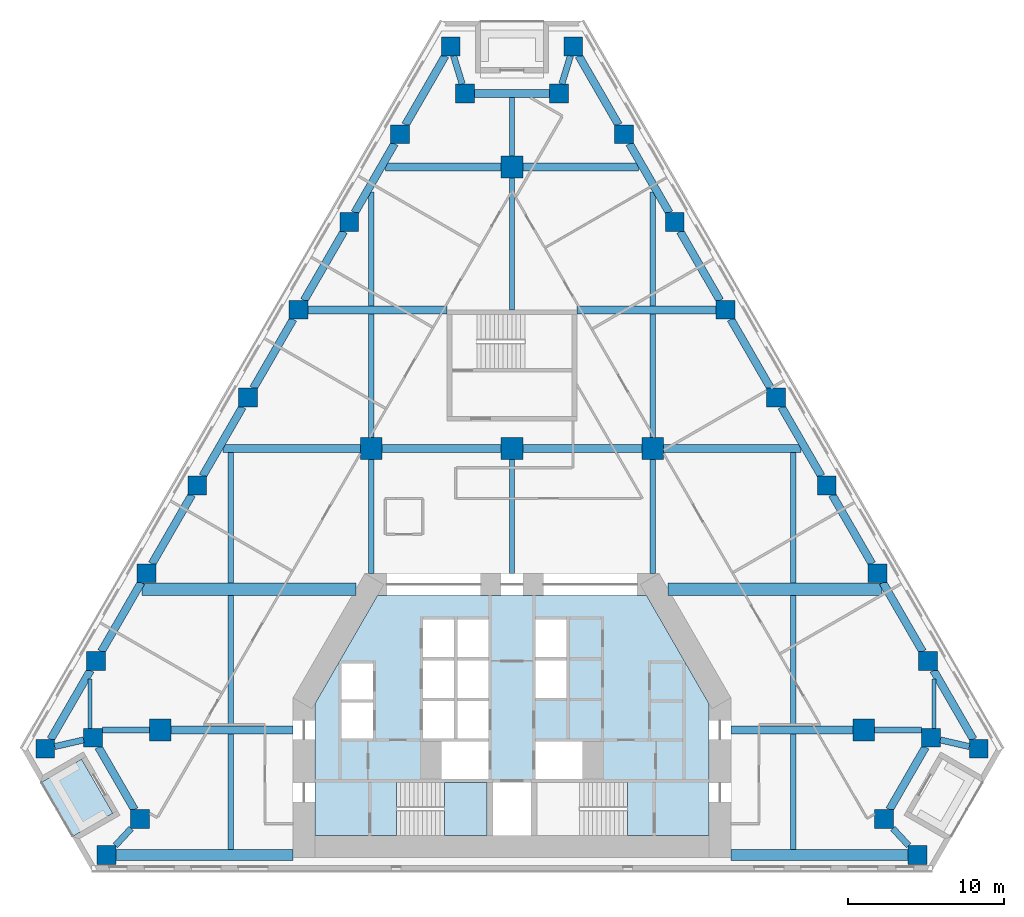
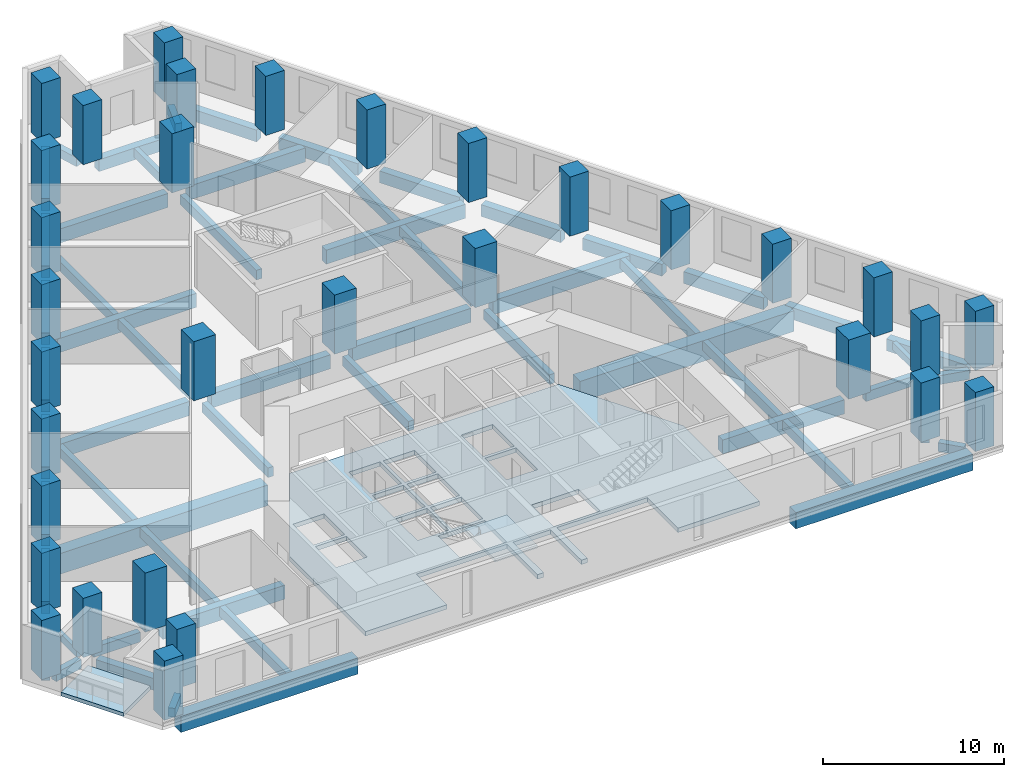
# One storey, part 1 of 9: 58 beams, 32 columns, 3 slabs, 1 element without a shape of its own.
"""IFC4 building model written with IfcOpenShell, lengths in metres."""

from ifc_helpers import new_model, si_unit, direction, frame, origin, origin_2d, place, context, subcontext, project, spatial, polyline, rectangle, outline, extrude, material, layer, layer_set, material_profile, profile_set, type_object, element, aggregate, save


model = new_model("IFC4")

# Units and contexts
model_context = context("Model", 3, precision=1e-05, world=origin(), true_north=direction((0.0, 1.0)))
body_context = subcontext(model_context, "Body", "Model", "MODEL_VIEW")
ifc_project = project(units=[si_unit("LENGTHUNIT", "METRE"), si_unit("AREAUNIT", "SQUARE_METRE"), si_unit("VOLUMEUNIT", "CUBIC_METRE"), si_unit("PLANEANGLEUNIT", "RADIAN"), si_unit("MASSUNIT", "GRAM", prefix="KILO")], contexts=[model_context])

# Site, building, storey
site_placement = place(None, origin())
site = spatial("IfcSite", under=ifc_project, at=site_placement, CompositionType="ELEMENT")
building_placement = place(site_placement, origin())
building = spatial("IfcBuilding", under=site, at=building_placement, Name="Fogline Exchange Tower", CompositionType="ELEMENT")
storey_placement = place(building_placement, frame((0.0, 0.0, 72.89990234375)))
storey = spatial("IfcBuildingStorey", under=building, at=storey_placement, Name="L15", CompositionType="ELEMENT", Elevation=72.89990234375)

# Columns
ifc_material_1 = material(Name="Concrete C80", Category="concrete")
ifc_material_profile_1 = material_profile(ifc_material_1, rectangle(XDim=1.199951171875, YDim=1.199951171875, at=origin_2d()), Name="RC 1200x1200")
ifc_profile_set_1 = profile_set([ifc_material_profile_1], Name="Concrete C80")
column_type_1 = type_object("IfcColumnType", Name="C01", PredefinedType="COLUMN", material=ifc_profile_set_1)
for number, where, z_axis, x_axis, name in (
    (1, (-29.855712890625, 7.794189453125, 0.0), (0.0, 0.0, 1.0), (1.0, 0.0, 0.0), "SW-a"),
    (2, (-26.79638671875, 8.4951171875, 0.0), (0.0, 0.0, 1.0), (1.0, 0.0, 0.0), "SW-p4"),
    (3, (-23.79638671875, 3.299072265625, 0.0), (0.0, 0.0, 1.0), (1.0, 0.0, 0.0), "SW-p3"),
    (4, (-25.93310546875, 1.0, 0.0), (0.0, 0.0, 1.0), (1.0, 0.0, 0.0), "SW-b"),
    (5, (25.93310546875, 1.0, 0.0), (0.0, 0.0, 1.0), (1.0, 0.0, 0.0), "SE-a"),
    (6, (23.79638671875, 3.299072265625, 0.0), (0.0, 0.0, 1.0), (1.0, 0.0, 0.0), "SE-p4"),
    (7, (26.79638671875, 8.4951171875, 0.0), (0.0, 0.0, 1.0), (1.0, 0.0, 0.0), "SE-p3"),
    (8, (29.855712890625, 7.794189453125, 0.0), (0.0, 0.0, 1.0), (1.0, 0.0, 0.0), "SE-b"),
    (9, (26.614013671875, 13.408935546875, 0.0), (0.0, 0.0, 1.0), (1.0, 0.0, 0.0), "E1"),
    (10, (23.37255859375, 19.023681640625, 0.0), (0.0, 0.0, 1.0), (1.0, 0.0, 0.0), "E2"),
    (11, (20.130859375, 24.63818359375, 0.0), (0.0, 0.0, 1.0), (1.0, 0.0, 0.0), "E3"),
    (12, (16.88916015625, 30.2529296875, 0.0), (0.0, 0.0, 1.0), (1.0, 0.0, 0.0), "E4"),
    (13, (13.647705078125, 35.86767578125, 0.0), (0.0, 0.0, 1.0), (1.0, 0.0, 0.0), "E5"),
    (14, (10.406005859375, 41.482421875, 0.0), (0.0, 0.0, 1.0), (1.0, 0.0, 0.0), "E6"),
    (15, (7.164306640625, 47.096923828125, 0.0), (0.0, 0.0, 1.0), (1.0, 0.0, 0.0), "E7"),
    (16, (3.922607421875, 52.711669921875, 0.0), (0.0, 0.0, 1.0), (1.0, 0.0, 0.0), "N-a"),
    (17, (3.0, 49.711669921875, 0.0), (0.0, 0.0, 1.0), (1.0, 0.0, 0.0), "N-p4"),
    (18, (-3.0, 49.711669921875, 0.0), (0.0, 0.0, 1.0), (1.0, 0.0, 0.0), "N-p3"),
    (19, (-3.922607421875, 52.711669921875, 0.0), (0.0, 0.0, 1.0), (1.0, 0.0, 0.0), "N-b"),
    (20, (-7.164306640625, 47.096923828125, 0.0), (0.0, 0.0, 1.0), (1.0, 0.0, 0.0), "W1"),
    (21, (-10.406005859375, 41.482421875, 0.0), (0.0, 0.0, 1.0), (1.0, 0.0, 0.0), "W2"),
    (22, (-13.647705078125, 35.86767578125, 0.0), (0.0, 0.0, 1.0), (1.0, 0.0, 0.0), "W3"),
    (23, (-16.88916015625, 30.2529296875, 0.0), (0.0, 0.0, 1.0), (1.0, 0.0, 0.0), "W4"),
    (24, (-20.130859375, 24.63818359375, 0.0), (0.0, 0.0, 1.0), (1.0, 0.0, 0.0), "W5"),
    (25, (-23.37255859375, 19.023681640625, 0.0), (0.0, 0.0, 1.0), (1.0, 0.0, 0.0), "W6"),
    (26, (-26.614013671875, 13.408935546875, 0.0), (0.0, 0.0, 1.0), (1.0, 0.0, 0.0), "W7"),
):
    element("IfcColumn", number, at=place(storey_placement, frame(where, z_axis=z_axis, x_axis=x_axis)), inside=storey, type_object=column_type_1, Name=name, PredefinedType="COLUMN", context=body_context, shape_type="SweptSolid", body=[
        extrude(rectangle(XDim=1.199951171875, YDim=1.199951171875, at=origin_2d()), origin(), (0.0, 0.0, 1.0), 4.0),
    ])
ifc_material_profile_2 = material_profile(ifc_material_1, rectangle(XDim=1.39990234375, YDim=1.39990234375, at=origin_2d()), Name="RC 1400x1400")
ifc_profile_set_2 = profile_set([ifc_material_profile_2], Name="Concrete C80")
column_type_2 = type_object("IfcColumnType", Name="C02", PredefinedType="COLUMN", material=ifc_profile_set_2)
for number, where, z_axis, x_axis, name in (
    (27, (-9.0, 27.0, 0.0), (0.0, 0.0, 1.0), (1.0, 0.0, 0.0), "IC--9-27"),
    (28, (0.0, 27.0, 0.0), (0.0, 0.0, 1.0), (1.0, 0.0, 0.0), "IC-0-27"),
    (29, (9.0, 27.0, 0.0), (0.0, 0.0, 1.0), (1.0, 0.0, 0.0), "IC-9-27"),
    (30, (0.0, 45.0, 0.0), (0.0, 0.0, 1.0), (1.0, 0.0, 0.0), "IC-0-45"),
    (31, (-22.5, 9.0, 0.0), (0.0, 0.0, 1.0), (1.0, 0.0, 0.0), "IC--225-9"),
    (32, (22.5, 9.0, 0.0), (0.0, 0.0, 1.0), (1.0, 0.0, 0.0), "IC-225-9"),
):
    element("IfcColumn", number, at=place(storey_placement, frame(where, z_axis=z_axis, x_axis=x_axis)), inside=storey, type_object=column_type_2, Name=name, PredefinedType="COLUMN", context=body_context, shape_type="SweptSolid", body=[
        extrude(rectangle(XDim=1.39990234375, YDim=1.39990234375, at=origin_2d()), origin(), (0.0, 0.0, 1.0), 4.0),
    ])

# Beams
ifc_material_2 = material(Name="Concrete C40", Category="concrete")
ifc_material_profile_3 = material_profile(ifc_material_2, rectangle(XDim=0.300048828125, YDim=0.60009765625, at=origin_2d()), Name="RC 300x600")
ifc_profile_set_3 = profile_set([ifc_material_profile_3], Name="Concrete C40")
beam_type_1 = type_object("IfcBeamType", Name="B06", PredefinedType="BEAM", material=ifc_profile_set_3)
beam_1_placement = place(storey_placement, frame((0.0, 45.699951171875, -0.599853515625), z_axis=(0.0, 1.0, 0.0), x_axis=(-1.0, 0.0, 0.0)))
element("IfcBeam", 33, at=beam_1_placement, inside=storey, type_object=beam_type_1, Name="SB010", PredefinedType="BEAM", context=body_context, shape_type="SweptSolid", body=[
    extrude(rectangle(XDim=0.300048828125, YDim=0.60009765625, at=origin_2d()), origin(), (0.0, 0.0, 1.0), 3.76171875),
])
ifc_material_profile_4 = material_profile(ifc_material_2, rectangle(XDim=0.25, YDim=0.5, at=origin_2d()), Name="RC 250x500")
ifc_profile_set_4 = profile_set([ifc_material_profile_4], Name="Concrete C40")
beam_type_2 = type_object("IfcBeamType", Name="B08", PredefinedType="BEAM", material=ifc_profile_set_4)
for number, where, z_axis, x_axis, name in (
    (34, (-27.0, 9.09521484375, -0.5498046875), (0.0, 1.0, 0.0), (-1.0, 0.0, 0.0), "SB001"),
    (35, (27.0, 9.09521484375, -0.5498046875), (0.0, 1.0, 0.0), (-1.0, 0.0, 0.0), "SB017"),
):
    element("IfcBeam", number, at=place(storey_placement, frame(where, z_axis=z_axis, x_axis=x_axis)), inside=storey, type_object=beam_type_2, Name=name, PredefinedType="BEAM", context=body_context, shape_type="SweptSolid", body=[
        extrude(rectangle(XDim=0.25, YDim=0.5, at=origin_2d()), origin(), (0.0, 0.0, 1.0), 3.145263671875),
    ])
ifc_material_profile_5 = material_profile(ifc_material_2, rectangle(XDim=0.5, YDim=0.800048828125, at=origin_2d()), Name="RC 500x800")
ifc_profile_set_5 = profile_set([ifc_material_profile_5], Name="Concrete C40")
beam_type_3 = type_object("IfcBeamType", Name="B10", PredefinedType="BEAM", material=ifc_profile_set_5)
for number, where, z_axis, x_axis, name in (
    (36, (-26.449951171875, 7.895263671875, -0.699951171875), (0.500014024385, -0.866017306651, 0.0), (0.866017306651, 0.500014024385, 0.0), "RB002"),
    (37, (24.142578125, 3.89892578125, -0.699951171875), (0.500014024385, 0.866017306651, 0.0), (-0.866017306651, 0.500014024385, 0.0), "RB007"),
):
    element("IfcBeam", number, at=place(storey_placement, frame(where, z_axis=z_axis, x_axis=x_axis)), inside=storey, type_object=beam_type_3, Name=name, PredefinedType="BEAM", context=body_context, shape_type="SweptSolid", body=[
        extrude(rectangle(XDim=0.5, YDim=0.800048828125, at=origin_2d()), origin(), (0.0, 0.0, 1.0), 4.614501953125),
    ])
beam_2_placement = place(storey_placement, frame((29.50927734375, 8.394287109375, -0.699951171875), z_axis=(-0.500012659481, 0.866018094706, 0.0), x_axis=(-0.866018094706, -0.500012659481, 0.0)))
element("IfcBeam", 38, at=beam_2_placement, inside=storey, type_object=beam_type_3, Name="RB009", PredefinedType="BEAM", context=body_context, shape_type="SweptSolid", body=[
    extrude(rectangle(XDim=0.5, YDim=0.800048828125, at=origin_2d()), origin(), (0.0, 0.0, 1.0), 5.097412109375),
])
for number, where, z_axis, x_axis, name in (
    (39, (26.267578125, 14.0087890625, -0.699951171875), (-0.499956000529, 0.8660508054, 0.0), (-0.8660508054, -0.499956000529, 0.0), "RB010"),
    (40, (23.026123046875, 19.62353515625, -0.699951171875), (-0.499991921166, 0.866030068051, 0.0), (-0.866030068051, -0.499991921166, 0.0), "RB011"),
):
    element("IfcBeam", number, at=place(storey_placement, frame(where, z_axis=z_axis, x_axis=x_axis)), inside=storey, type_object=beam_type_3, Name=name, PredefinedType="BEAM", context=body_context, shape_type="SweptSolid", body=[
        extrude(rectangle(XDim=0.5, YDim=0.800048828125, at=origin_2d()), origin(), (0.0, 0.0, 1.0), 5.09765625),
    ])
beam_3_placement = place(storey_placement, frame((19.784423828125, 25.23828125, -0.699951171875), z_axis=(-0.500012659481, 0.866018094706, 0.0), x_axis=(-0.866018094706, -0.500012659481, 0.0)))
element("IfcBeam", 41, at=beam_3_placement, inside=storey, type_object=beam_type_3, Name="RB012", PredefinedType="BEAM", context=body_context, shape_type="SweptSolid", body=[
    extrude(rectangle(XDim=0.5, YDim=0.800048828125, at=origin_2d()), origin(), (0.0, 0.0, 1.0), 5.097412109375),
])
for number, where, z_axis, x_axis, name in (
    (42, (16.542724609375, 30.852783203125, -0.699951171875), (-0.499991921166, 0.866030068051, 0.0), (-0.866030068051, -0.499991921166, 0.0), "RB013"),
    (43, (13.301025390625, 36.467529296875, -0.699951171875), (-0.499991921166, 0.866030068051, 0.0), (-0.866030068051, -0.499991921166, 0.0), "RB014"),
    (44, (10.0595703125, 42.082275390625, -0.699951171875), (-0.499991921166, 0.866030068051, 0.0), (-0.866030068051, -0.499991921166, 0.0), "RB015"),
    (45, (6.81787109375, 47.697021484375, -0.699951171875), (-0.499991921166, 0.866030068051, 0.0), (-0.866030068051, -0.499991921166, 0.0), "RB016"),
):
    element("IfcBeam", number, at=place(storey_placement, frame(where, z_axis=z_axis, x_axis=x_axis)), inside=storey, type_object=beam_type_3, Name=name, PredefinedType="BEAM", context=body_context, shape_type="SweptSolid", body=[
        extrude(rectangle(XDim=0.5, YDim=0.800048828125, at=origin_2d()), origin(), (0.0, 0.0, 1.0), 5.09765625),
    ])
beam_4_placement = place(storey_placement, frame((2.39990234375, 49.711669921875, -0.699951171875), z_axis=(-1.0, 0.0, 0.0), x_axis=(0.0, -1.0, 0.0)))
element("IfcBeam", 46, at=beam_4_placement, inside=storey, type_object=beam_type_3, Name="RB018", PredefinedType="BEAM", context=body_context, shape_type="SweptSolid", body=[
    extrude(rectangle(XDim=0.5, YDim=0.800048828125, at=origin_2d()), origin(), (0.0, 0.0, 1.0), 4.7998046875),
])
for number, where, z_axis, x_axis, name in (
    (47, (-4.26904296875, 52.11181640625, -0.699951171875), (-0.499991921166, -0.866030068051, 0.0), (0.866030068051, -0.499991921166, 0.0), "RB020"),
    (48, (-7.5107421875, 46.4970703125, -0.699951171875), (-0.499991921166, -0.866030068051, 0.0), (0.866030068051, -0.499991921166, 0.0), "RB021"),
    (49, (-10.752197265625, 40.88232421875, -0.699951171875), (-0.499991921166, -0.866030068051, 0.0), (0.866030068051, -0.499991921166, 0.0), "RB022"),
    (50, (-13.993896484375, 35.267578125, -0.699951171875), (-0.499991921166, -0.866030068051, 0.0), (0.866030068051, -0.499991921166, 0.0), "RB023"),
):
    element("IfcBeam", number, at=place(storey_placement, frame(where, z_axis=z_axis, x_axis=x_axis)), inside=storey, type_object=beam_type_3, Name=name, PredefinedType="BEAM", context=body_context, shape_type="SweptSolid", body=[
        extrude(rectangle(XDim=0.5, YDim=0.800048828125, at=origin_2d()), origin(), (0.0, 0.0, 1.0), 5.09765625),
    ])
beam_5_placement = place(storey_placement, frame((-17.235595703125, 29.65283203125, -0.699951171875), z_axis=(-0.500012659481, -0.866018094706, 0.0), x_axis=(0.866018094706, -0.500012659481, 0.0)))
element("IfcBeam", 51, at=beam_5_placement, inside=storey, type_object=beam_type_3, Name="RB024", PredefinedType="BEAM", context=body_context, shape_type="SweptSolid", body=[
    extrude(rectangle(XDim=0.5, YDim=0.800048828125, at=origin_2d()), origin(), (0.0, 0.0, 1.0), 5.097412109375),
])
for number, where, z_axis, x_axis, name in (
    (52, (-20.477294921875, 24.038330078125, -0.699951171875), (-0.499991921166, -0.866030068051, 0.0), (0.866030068051, -0.499991921166, 0.0), "RB025"),
    (53, (-23.718994140625, 18.423583984375, -0.699951171875), (-0.499956000529, -0.8660508054, 0.0), (0.8660508054, -0.499956000529, 0.0), "RB026"),
):
    element("IfcBeam", number, at=place(storey_placement, frame(where, z_axis=z_axis, x_axis=x_axis)), inside=storey, type_object=beam_type_3, Name=name, PredefinedType="BEAM", context=body_context, shape_type="SweptSolid", body=[
        extrude(rectangle(XDim=0.5, YDim=0.800048828125, at=origin_2d()), origin(), (0.0, 0.0, 1.0), 5.09765625),
    ])
beam_6_placement = place(storey_placement, frame((-26.96044921875, 12.808837890625, -0.699951171875), z_axis=(-0.500012659481, -0.866018094706, 0.0), x_axis=(0.866018094706, -0.500012659481, 0.0)))
element("IfcBeam", 54, at=beam_6_placement, inside=storey, type_object=beam_type_3, Name="RB027", PredefinedType="BEAM", context=body_context, shape_type="SweptSolid", body=[
    extrude(rectangle(XDim=0.5, YDim=0.800048828125, at=origin_2d()), origin(), (0.0, 0.0, 1.0), 5.097412109375),
])
ifc_material_profile_6 = material_profile(ifc_material_2, rectangle(XDim=0.39990234375, YDim=0.60009765625, at=origin_2d()), Name="RC 400x600")
ifc_profile_set_6 = profile_set([ifc_material_profile_6], Name="Concrete C40")
beam_type_4 = type_object("IfcBeamType", Name="B11", PredefinedType="BEAM", material=ifc_profile_set_6)
beam_7_placement = place(storey_placement, frame((-29.255615234375, 7.931640625, -0.599853515625), z_axis=(0.974741606569, 0.223335622829, 0.0), x_axis=(-0.223335622829, 0.974741606569, 0.0)))
element("IfcBeam", 55, at=beam_7_placement, inside=storey, type_object=beam_type_4, Name="RB001", PredefinedType="BEAM", context=body_context, shape_type="SweptSolid", body=[
    extrude(rectangle(XDim=0.39990234375, YDim=0.60009765625, at=origin_2d()), origin(), (0.0, 0.0, 1.0), 1.907470703125),
])
for number, where, z_axis, x_axis, name in (
    (56, (-24.35400390625, 2.698974609375, -0.599853515625), (-0.680844217962, -0.732428256464, 0.0), (0.732428256464, -0.680844217962, 0.0), "RB003"),
    (57, (25.37548828125, 1.60009765625, -0.599853515625), (-0.680844217962, 0.732428256464, 0.0), (-0.732428256464, -0.680844217962, 0.0), "RB006"),
):
    element("IfcBeam", number, at=place(storey_placement, frame(where, z_axis=z_axis, x_axis=x_axis)), inside=storey, type_object=beam_type_4, Name=name, PredefinedType="BEAM", context=body_context, shape_type="SweptSolid", body=[
        extrude(rectangle(XDim=0.39990234375, YDim=0.60009765625, at=origin_2d()), origin(), (0.0, 0.0, 1.0), 1.500244140625),
    ])
beam_8_placement = place(storey_placement, frame((27.396240234375, 8.357666015625, -0.599853515625), z_axis=(0.974741606569, -0.223335622829, 0.0), x_axis=(0.223335622829, 0.974741606569, 0.0)))
element("IfcBeam", 58, at=beam_8_placement, inside=storey, type_object=beam_type_4, Name="RB008", PredefinedType="BEAM", context=body_context, shape_type="SweptSolid", body=[
    extrude(rectangle(XDim=0.39990234375, YDim=0.60009765625, at=origin_2d()), origin(), (0.0, 0.0, 1.0), 1.907470703125),
])
for number, where, z_axis, x_axis, name in (
    (59, (3.738037109375, 52.11181640625, -0.599853515625), (-0.293894535925, -0.955837853275, 0.0), (0.955837853275, -0.293894535925, 0.0), "RB017"),
    (60, (-3.1845703125, 50.311767578125, -0.599853515625), (-0.293894535925, 0.955837853275, 0.0), (-0.955837853275, -0.293894535925, 0.0), "RB019"),
):
    element("IfcBeam", number, at=place(storey_placement, frame(where, z_axis=z_axis, x_axis=x_axis)), inside=storey, type_object=beam_type_4, Name=name, PredefinedType="BEAM", context=body_context, shape_type="SweptSolid", body=[
        extrude(rectangle(XDim=0.39990234375, YDim=0.60009765625, at=origin_2d()), origin(), (0.0, 0.0, 1.0), 1.88330078125),
    ])
ifc_material_profile_7 = material_profile(ifc_material_2, rectangle(XDim=0.699951171875, YDim=1.10009765625, at=origin_2d()), Name="RC 700x1100")
ifc_profile_set_7 = profile_set([ifc_material_profile_7], Name="Concrete C40")
beam_type_5 = type_object("IfcBeamType", Name="B12", PredefinedType="BEAM", material=ifc_profile_set_7)
for number, where, z_axis, x_axis, name in (
    (61, (-25.3330078125, 1.0, -0.849853515625), (1.0, 0.0, 0.0), (0.0, 1.0, 0.0), "RB004"),
    (62, (14.0, 1.0, -0.849853515625), (1.0, 0.0, 0.0), (0.0, 1.0, 0.0), "RB005"),
):
    element("IfcBeam", number, at=place(storey_placement, frame(where, z_axis=z_axis, x_axis=x_axis)), inside=storey, type_object=beam_type_5, Name=name, PredefinedType="BEAM", context=body_context, shape_type="SweptSolid", body=[
        extrude(rectangle(XDim=0.699951171875, YDim=1.10009765625, at=origin_2d()), origin(), (0.0, 0.0, 1.0), 11.3330078125),
    ])
ifc_material_profile_8 = material_profile(ifc_material_2, rectangle(XDim=0.39990234375, YDim=0.64990234375, at=origin_2d()), Name="RC 400x650")
ifc_profile_set_8 = profile_set([ifc_material_profile_8], Name="Concrete C40")
beam_type_6 = type_object("IfcBeamType", Name="B13", PredefinedType="BEAM", material=ifc_profile_set_8)
for number, where, z_axis, x_axis, name in (
    (63, (-26.1962890625, 9.0, -0.625), (1.0, 0.0, 0.0), (0.0, 1.0, 0.0), "GB001"),
    (64, (23.199951171875, 9.0, -0.625), (1.0, 0.0, 0.0), (0.0, 1.0, 0.0), "GB004"),
):
    element("IfcBeam", number, at=place(storey_placement, frame(where, z_axis=z_axis, x_axis=x_axis)), inside=storey, type_object=beam_type_6, Name=name, PredefinedType="BEAM", context=body_context, shape_type="SweptSolid", body=[
        extrude(rectangle(XDim=0.39990234375, YDim=0.64990234375, at=origin_2d()), origin(), (0.0, 0.0, 1.0), 2.996337890625),
    ])
ifc_material_profile_9 = material_profile(ifc_material_2, rectangle(XDim=0.5, YDim=0.949951171875, at=origin_2d()), Name="RC 500x950")
ifc_profile_set_9 = profile_set([ifc_material_profile_9], Name="Concrete C40")
beam_type_7 = type_object("IfcBeamType", Name="B14", PredefinedType="BEAM", material=ifc_profile_set_9)
for number, where, z_axis, x_axis, name in (
    (65, (-21.800048828125, 9.0, -0.77490234375), (1.0, 0.0, 0.0), (0.0, 1.0, 0.0), "GB002"),
    (66, (14.0, 9.0, -0.77490234375), (1.0, 0.0, 0.0), (0.0, 1.0, 0.0), "GB003"),
):
    element("IfcBeam", number, at=place(storey_placement, frame(where, z_axis=z_axis, x_axis=x_axis)), inside=storey, type_object=beam_type_7, Name=name, PredefinedType="BEAM", context=body_context, shape_type="SweptSolid", body=[
        extrude(rectangle(XDim=0.5, YDim=0.949951171875, at=origin_2d()), origin(), (0.0, 0.0, 1.0), 7.800048828125),
    ])
beam_9_placement = place(storey_placement, frame((-18.478515625, 27.0, -0.77490234375), z_axis=(1.0, 0.0, 0.0), x_axis=(0.0, 1.0, 0.0)))
element("IfcBeam", 67, at=beam_9_placement, inside=storey, type_object=beam_type_7, Name="GB007", PredefinedType="BEAM", context=body_context, shape_type="SweptSolid", body=[
    extrude(rectangle(XDim=0.5, YDim=0.949951171875, at=origin_2d()), origin(), (0.0, 0.0, 1.0), 8.778564453125),
])
for number, where, z_axis, x_axis, name in (
    (68, (-8.300048828125, 27.0, -0.77490234375), (1.0, 0.0, 0.0), (0.0, 1.0, 0.0), "GB008"),
    (69, (0.699951171875, 27.0, -0.77490234375), (1.0, 0.0, 0.0), (0.0, 1.0, 0.0), "GB009"),
):
    element("IfcBeam", number, at=place(storey_placement, frame(where, z_axis=z_axis, x_axis=x_axis)), inside=storey, type_object=beam_type_7, Name=name, PredefinedType="BEAM", context=body_context, shape_type="SweptSolid", body=[
        extrude(rectangle(XDim=0.5, YDim=0.949951171875, at=origin_2d()), origin(), (0.0, 0.0, 1.0), 7.60009765625),
    ])
beam_10_placement = place(storey_placement, frame((9.699951171875, 27.0, -0.77490234375), z_axis=(1.0, 0.0, 0.0), x_axis=(0.0, 1.0, 0.0)))
element("IfcBeam", 70, at=beam_10_placement, inside=storey, type_object=beam_type_7, Name="GB010", PredefinedType="BEAM", context=body_context, shape_type="SweptSolid", body=[
    extrude(rectangle(XDim=0.5, YDim=0.949951171875, at=origin_2d()), origin(), (0.0, 0.0, 1.0), 8.778564453125),
])
for number, where, z_axis, x_axis, name in (
    (71, (-13.047607421875, 35.85693359375, -0.77490234375), (1.0, 0.0, 0.0), (0.0, 1.0, 0.0), "GB011"),
    (72, (4.14990234375, 35.85693359375, -0.77490234375), (1.0, 0.0, 0.0), (0.0, 1.0, 0.0), "GB012"),
):
    element("IfcBeam", number, at=place(storey_placement, frame(where, z_axis=z_axis, x_axis=x_axis)), inside=storey, type_object=beam_type_7, Name=name, PredefinedType="BEAM", context=body_context, shape_type="SweptSolid", body=[
        extrude(rectangle(XDim=0.5, YDim=0.949951171875, at=origin_2d()), origin(), (0.0, 0.0, 1.0), 8.897705078125),
    ])
for number, where, z_axis, x_axis, name in (
    (73, (-8.086181640625, 45.0, -0.77490234375), (1.0, 0.0, 0.0), (0.0, 1.0, 0.0), "GB013"),
    (74, (0.699951171875, 45.0, -0.77490234375), (1.0, 0.0, 0.0), (0.0, 1.0, 0.0), "GB014"),
):
    element("IfcBeam", number, at=place(storey_placement, frame(where, z_axis=z_axis, x_axis=x_axis)), inside=storey, type_object=beam_type_7, Name=name, PredefinedType="BEAM", context=body_context, shape_type="SweptSolid", body=[
        extrude(rectangle(XDim=0.5, YDim=0.949951171875, at=origin_2d()), origin(), (0.0, 0.0, 1.0), 7.38623046875),
    ])
ifc_material_profile_10 = material_profile(ifc_material_2, rectangle(XDim=0.800048828125, YDim=1.39990234375, at=origin_2d()), Name="RC 800x1400")
ifc_profile_set_10 = profile_set([ifc_material_profile_10], Name="Concrete C40")
beam_type_8 = type_object("IfcBeamType", Name="B15", PredefinedType="BEAM", material=ifc_profile_set_10)
for number, where, z_axis, x_axis, name in (
    (75, (-23.6748046875, 18.0, -1.0), (1.0, 0.0, 0.0), (0.0, 1.0, 0.0), "GB005"),
    (76, (9.989013671875, 18.0, -1.0), (1.0, 0.0, 0.0), (0.0, 1.0, 0.0), "GB006"),
):
    element("IfcBeam", number, at=place(storey_placement, frame(where, z_axis=z_axis, x_axis=x_axis)), inside=storey, type_object=beam_type_8, Name=name, PredefinedType="BEAM", context=body_context, shape_type="SweptSolid", body=[
        extrude(rectangle(XDim=0.800048828125, YDim=1.39990234375, at=origin_2d()), origin(), (0.0, 0.0, 1.0), 13.685791015625),
    ])
ifc_material_profile_11 = material_profile(ifc_material_2, rectangle(XDim=0.35009765625, YDim=0.64990234375, at=origin_2d()), Name="RC 350x650")
ifc_profile_set_11 = profile_set([ifc_material_profile_11], Name="Concrete C40")
beam_type_9 = type_object("IfcBeamType", Name="B16", PredefinedType="BEAM", material=ifc_profile_set_11)
beam_11_placement = place(storey_placement, frame((-18.0, 1.35009765625, -0.625), z_axis=(0.0, 1.0, 0.0), x_axis=(-1.0, 0.0, 0.0)))
element("IfcBeam", 77, at=beam_11_placement, inside=storey, type_object=beam_type_9, Name="SB002", PredefinedType="BEAM", context=body_context, shape_type="SweptSolid", body=[
    extrude(rectangle(XDim=0.35009765625, YDim=0.64990234375, at=origin_2d()), origin(), (0.0, 0.0, 1.0), 7.39990234375),
])
for number, where, z_axis, x_axis, name in (
    (78, (-18.0, 9.25, -0.625), (0.0, 1.0, 0.0), (-1.0, 0.0, 0.0), "SB003"),
    (79, (-18.0, 18.39990234375, -0.625), (0.0, 1.0, 0.0), (-1.0, 0.0, 0.0), "SB004"),
):
    element("IfcBeam", number, at=place(storey_placement, frame(where, z_axis=z_axis, x_axis=x_axis)), inside=storey, type_object=beam_type_9, Name=name, PredefinedType="BEAM", context=body_context, shape_type="SweptSolid", body=[
        extrude(rectangle(XDim=0.35009765625, YDim=0.64990234375, at=origin_2d()), origin(), (0.0, 0.0, 1.0), 8.35009765625),
    ])
beam_12_placement = place(storey_placement, frame((-9.0, 19.0, -0.625), z_axis=(0.0, 1.0, 0.0), x_axis=(-1.0, 0.0, 0.0)))
element("IfcBeam", 80, at=beam_12_placement, inside=storey, type_object=beam_type_9, Name="SB005", PredefinedType="BEAM", context=body_context, shape_type="SweptSolid", body=[
    extrude(rectangle(XDim=0.35009765625, YDim=0.64990234375, at=origin_2d()), origin(), (0.0, 0.0, 1.0), 7.300048828125),
])
beam_13_placement = place(storey_placement, frame((-9.0, 27.699951171875, -0.625), z_axis=(0.0, 1.0, 0.0), x_axis=(-1.0, 0.0, 0.0)))
element("IfcBeam", 81, at=beam_13_placement, inside=storey, type_object=beam_type_9, Name="SB006", PredefinedType="BEAM", context=body_context, shape_type="SweptSolid", body=[
    extrude(rectangle(XDim=0.35009765625, YDim=0.64990234375, at=origin_2d()), origin(), (0.0, 0.0, 1.0), 7.906982421875),
])
beam_14_placement = place(storey_placement, frame((-9.0, 36.10693359375, -0.625), z_axis=(0.0, 1.0, 0.0), x_axis=(-1.0, 0.0, 0.0)))
element("IfcBeam", 82, at=beam_14_placement, inside=storey, type_object=beam_type_9, Name="SB007", PredefinedType="BEAM", context=body_context, shape_type="SweptSolid", body=[
    extrude(rectangle(XDim=0.35009765625, YDim=0.64990234375, at=origin_2d()), origin(), (0.0, 0.0, 1.0), 7.310546875),
])
beam_15_placement = place(storey_placement, frame((0.0, 19.0, -0.625), z_axis=(0.0, 1.0, 0.0), x_axis=(-1.0, 0.0, 0.0)))
element("IfcBeam", 83, at=beam_15_placement, inside=storey, type_object=beam_type_9, Name="SB008", PredefinedType="BEAM", context=body_context, shape_type="SweptSolid", body=[
    extrude(rectangle(XDim=0.35009765625, YDim=0.64990234375, at=origin_2d()), origin(), (0.0, 0.0, 1.0), 7.300048828125),
])
beam_16_placement = place(storey_placement, frame((0.0, 35.85693359375, -0.625), z_axis=(0.0, 1.0, 0.0), x_axis=(-1.0, 0.0, 0.0)))
element("IfcBeam", 84, at=beam_16_placement, inside=storey, type_object=beam_type_9, Name="SB009", PredefinedType="BEAM", context=body_context, shape_type="SweptSolid", body=[
    extrude(rectangle(XDim=0.35009765625, YDim=0.64990234375, at=origin_2d()), origin(), (0.0, 0.0, 1.0), 8.443115234375),
])
beam_17_placement = place(storey_placement, frame((9.0, 19.0, -0.625), z_axis=(0.0, 1.0, 0.0), x_axis=(-1.0, 0.0, 0.0)))
element("IfcBeam", 85, at=beam_17_placement, inside=storey, type_object=beam_type_9, Name="SB011", PredefinedType="BEAM", context=body_context, shape_type="SweptSolid", body=[
    extrude(rectangle(XDim=0.35009765625, YDim=0.64990234375, at=origin_2d()), origin(), (0.0, 0.0, 1.0), 7.300048828125),
])
beam_18_placement = place(storey_placement, frame((9.0, 27.699951171875, -0.625), z_axis=(0.0, 1.0, 0.0), x_axis=(-1.0, 0.0, 0.0)))
element("IfcBeam", 86, at=beam_18_placement, inside=storey, type_object=beam_type_9, Name="SB012", PredefinedType="BEAM", context=body_context, shape_type="SweptSolid", body=[
    extrude(rectangle(XDim=0.35009765625, YDim=0.64990234375, at=origin_2d()), origin(), (0.0, 0.0, 1.0), 7.906982421875),
])
beam_19_placement = place(storey_placement, frame((9.0, 36.10693359375, -0.625), z_axis=(0.0, 1.0, 0.0), x_axis=(-1.0, 0.0, 0.0)))
element("IfcBeam", 87, at=beam_19_placement, inside=storey, type_object=beam_type_9, Name="SB013", PredefinedType="BEAM", context=body_context, shape_type="SweptSolid", body=[
    extrude(rectangle(XDim=0.35009765625, YDim=0.64990234375, at=origin_2d()), origin(), (0.0, 0.0, 1.0), 7.310546875),
])
beam_20_placement = place(storey_placement, frame((18.0, 1.35009765625, -0.625), z_axis=(0.0, 1.0, 0.0), x_axis=(-1.0, 0.0, 0.0)))
element("IfcBeam", 88, at=beam_20_placement, inside=storey, type_object=beam_type_9, Name="SB014", PredefinedType="BEAM", context=body_context, shape_type="SweptSolid", body=[
    extrude(rectangle(XDim=0.35009765625, YDim=0.64990234375, at=origin_2d()), origin(), (0.0, 0.0, 1.0), 7.39990234375),
])
for number, where, z_axis, x_axis, name in (
    (89, (18.0, 9.25, -0.625), (0.0, 1.0, 0.0), (-1.0, 0.0, 0.0), "SB015"),
    (90, (18.0, 18.39990234375, -0.625), (0.0, 1.0, 0.0), (-1.0, 0.0, 0.0), "SB016"),
):
    element("IfcBeam", number, at=place(storey_placement, frame(where, z_axis=z_axis, x_axis=x_axis)), inside=storey, type_object=beam_type_9, Name=name, PredefinedType="BEAM", context=body_context, shape_type="SweptSolid", body=[
        extrude(rectangle(XDim=0.35009765625, YDim=0.64990234375, at=origin_2d()), origin(), (0.0, 0.0, 1.0), 8.35009765625),
    ])

# Slabs
ifc_layer_1 = layer(ifc_material_2, 0.25)
ifc_layer_set_1 = layer_set([ifc_layer_1], Name="DK1")
slab_type_1 = type_object("IfcSlabType", Name="DK1", PredefinedType="FLOOR", material=ifc_layer_set_1)
slab_1_placement = place(storey_placement, frame((0.0, 0.0, -0.25)))
element("IfcSlab", 91, at=slab_1_placement, inside=storey, type_object=slab_type_1, Name="Balcony L15 SW", PredefinedType="FLOOR", context=body_context, shape_type="SweptSolid", body=[
    extrude(outline(polyline([(-30.1328125, 5.629150390625), (-28.1328125, 2.1650390625), (-25.534912109375, 3.6650390625), (-27.534912109375, 7.129150390625), (-30.1328125, 5.629150390625)])), origin(), (0.0, 0.0, 1.0), 0.25),
])
ifc_layer_2 = layer(ifc_material_2, 0.300048828125)
ifc_layer_set_2 = layer_set([ifc_layer_2], Name="S04")
slab_type_2 = type_object("IfcSlabType", Name="S04", PredefinedType="FLOOR", material=ifc_layer_set_2)
slab_2_placement = place(storey_placement, frame((0.0, 0.0, -0.2998046875)))
element("IfcSlab", 92, at=slab_2_placement, inside=storey, type_object=slab_type_2, Name="Core floor slab", PredefinedType="FLOOR", context=body_context, shape_type="SweptSolid", body=[
    extrude(outline(polyline([(-12.60009765625, 2.25), (-12.60009765625, 10.677490234375), (-8.603271484375, 17.60009765625), (8.603271484375, 17.60009765625), (12.60009765625, 10.677490234375), (12.60009765625, 2.25), (7.389892578125, 2.25), (7.389892578125, 5.64990234375), (1.60009765625, 5.64990234375), (1.60009765625, 2.25), (1.199951171875, 2.25), (1.199951171875, 5.64990234375), (-1.199951171875, 5.64990234375), (-1.199951171875, 2.25), (-1.60009765625, 2.25), (-1.60009765625, 5.64990234375), (-7.389892578125, 5.64990234375), (-7.389892578125, 2.25), (-12.60009765625, 2.25)]), holes=[polyline([(-1.5, 8.25), (-4.5, 8.25), (-4.5, 5.85009765625), (-1.5, 5.85009765625), (-1.5, 8.25)]), polyline([(-8.89990234375, 10.75), (-10.89990234375, 10.75), (-10.89990234375, 8.449951171875), (-8.89990234375, 8.449951171875), (-8.89990234375, 10.75)]), polyline([(-3.699951171875, 10.85009765625), (-5.699951171875, 10.85009765625), (-5.699951171875, 8.449951171875), (-3.699951171875, 8.449951171875), (-3.699951171875, 10.85009765625)]), polyline([(-1.5, 10.85009765625), (-3.5, 10.85009765625), (-3.5, 8.449951171875), (-1.5, 8.449951171875), (-1.5, 10.85009765625)]), polyline([(-8.89990234375, 13.25), (-10.89990234375, 13.25), (-10.89990234375, 10.949951171875), (-8.89990234375, 10.949951171875), (-8.89990234375, 13.25)]), polyline([(-3.699951171875, 13.449951171875), (-5.699951171875, 13.449951171875), (-5.699951171875, 11.050048828125), (-3.699951171875, 11.050048828125), (-3.699951171875, 13.449951171875)]), polyline([(-3.699951171875, 16.050048828125), (-5.699951171875, 16.050048828125), (-5.699951171875, 13.64990234375), (-3.699951171875, 13.64990234375), (-3.699951171875, 16.050048828125)]), polyline([(4.5, 8.25), (1.5, 8.25), (1.5, 5.85009765625), (4.5, 5.85009765625), (4.5, 8.25)]), polyline([(-1.5, 13.449951171875), (-3.5, 13.449951171875), (-3.5, 11.050048828125), (-1.5, 11.050048828125), (-1.5, 13.449951171875)]), polyline([(3.5, 13.449951171875), (1.5, 13.449951171875), (1.5, 11.050048828125), (3.5, 11.050048828125), (3.5, 13.449951171875)]), polyline([(-1.5, 16.050048828125), (-3.5, 16.050048828125), (-3.5, 13.64990234375), (-1.5, 13.64990234375), (-1.5, 16.050048828125)]), polyline([(3.5, 16.050048828125), (1.5, 16.050048828125), (1.5, 13.64990234375), (3.5, 13.64990234375), (3.5, 16.050048828125)])]), origin(), (0.0, 0.0, 1.0), 0.2998046875),
])

# Stair, slab
stair_type = type_object("IfcStairType", Name="STR24-1667", PredefinedType="HALF_TURN_STAIR", material=ifc_material_2)
stair_placement = place(storey_placement, origin())
stair = element("IfcStair", 93, at=stair_placement, inside=storey, type_object=stair_type, Name="Stair ST1", PredefinedType="HALF_TURN_STAIR")
ifc_layer_3 = layer(ifc_material_2, 0.199951171875)
ifc_layer_set_3 = layer_set([ifc_layer_3], Name="SL200")
slab_type_3 = type_object("IfcSlabType", Name="SL200", PredefinedType="LANDING", material=ifc_layer_set_3)
slab_3_placement = place(storey_placement, frame((0.0, 0.0, 1.800048828125)))
slab_3 = element("IfcSlab", 94, at=slab_3_placement, type_object=slab_type_3, Name="ST1 landing 1", PredefinedType="LANDING", context=body_context, shape_type="SweptSolid", body=[
    extrude(outline(polyline([(-4.320068359375, 2.25), (-1.60009765625, 2.25), (-1.60009765625, 5.64990234375), (-4.320068359375, 5.64990234375), (-4.320068359375, 2.25)])), origin(), (0.0, 0.0, 1.0), 0.199951171875),
])
aggregate(stair, [slab_3])

save(model, "model.ifc")
